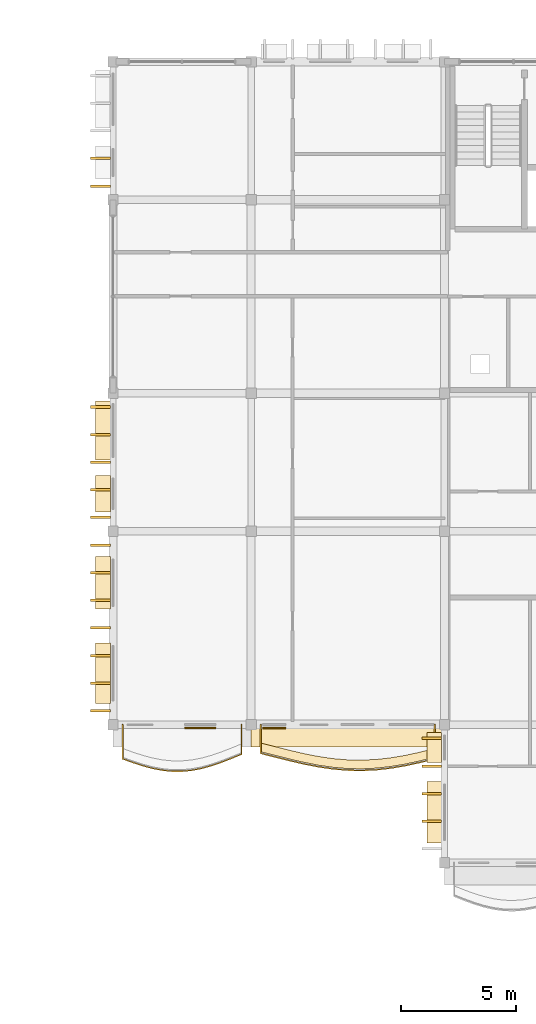
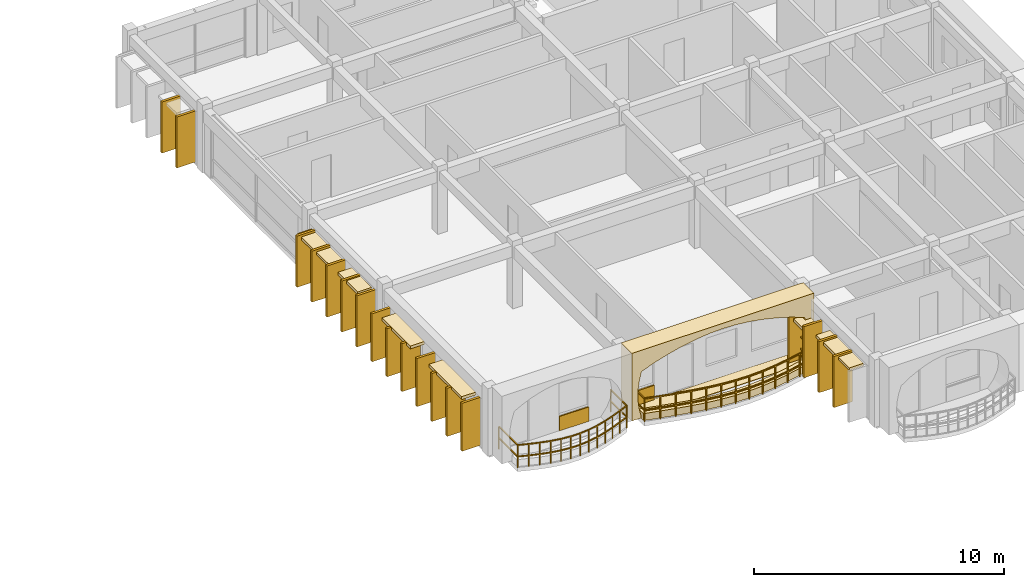
# One storey, part 63 of 68: 28 coverings, 2 railings.
"""IFC4 building model written with IfcOpenShell, lengths in metres."""

import ifcopenshell
import ifcopenshell.guid

model = None  # the IFC model being written
_history = None  # IfcOwnerHistory: only IFC2X3 demands one
_inside = {}  # id of a spatial element -> (the spatial element, [elements in it])
_under = {}  # id of a project, library or spatial element -> (it, [spatial elements below it])
_declared = {}  # id of a project -> (the project, [libraries it declares])
_typed = {}  # id of a type object -> (the type object, [elements of that type])
_made_of = {}  # id of a material, layer set ... -> (it, [elements and type objects made of it])


def new_model(schema):
    """Start an empty IFC model of exactly this schema.

    Asked for "IFC4X3", IfcOpenShell would pick the latest addendum, in which some entities
    have other attributes; the version numbers below select the first issue.
    IFC2X3 requires an IfcOwnerHistory on every rooted entity: one is made here for all.
    """
    global model, _history
    if schema == "IFC4X3":
        model = ifcopenshell.file(schema_version=(4, 3, 0, 0))
    else:
        model = ifcopenshell.file(schema=schema)
    _inside.clear()
    _under.clear()
    _declared.clear()
    _typed.clear()
    _made_of.clear()
    _history = None
    if model.schema == "IFC2X3":
        org = make("IfcOrganization", Name="unknown")
        user = make(
            "IfcPersonAndOrganization",
            ThePerson=make("IfcPerson", FamilyName="unknown"),
            TheOrganization=org,
        )
        app = make(
            "IfcApplication",
            ApplicationDeveloper=org,
            Version="unknown",
            ApplicationFullName="unknown",
            ApplicationIdentifier="unknown",
        )
        _history = make(
            "IfcOwnerHistory",
            OwningUser=user,
            OwningApplication=app,
            ChangeAction="ADDED",
            CreationDate=0,
        )
    return model


def make(cls, **values):
    """One entity of the class cls with the attributes given. An attribute that is None is left unset."""
    return model.create_entity(
        cls, **{name: value for name, value in values.items() if value is not None}
    )


def rooted(cls, **values):
    """An entity with a GlobalId (a new one), such as an element, a storey or a relation."""
    return make(cls, GlobalId=ifcopenshell.guid.new(), OwnerHistory=_history, **values)


def si_unit(unit_type, name, prefix=None):
    """IfcSIUnit, for example si_unit("LENGTHUNIT", "METRE", prefix="MILLI")."""
    return make("IfcSIUnit", UnitType=unit_type, Prefix=prefix, Name=name)


def assignment(units):
    """IfcUnitAssignment: the units of a project."""
    return None if units is None else make("IfcUnitAssignment", Units=units)


def point(xyz):
    """IfcCartesianPoint."""
    return None if xyz is None else make("IfcCartesianPoint", Coordinates=xyz)


def direction(xyz):
    """IfcDirection."""
    return None if xyz is None else make("IfcDirection", DirectionRatios=xyz)


def frame(location, z_axis=None, x_axis=None):
    """IfcAxis2Placement3D, a coordinate frame: its origin and axes. An axis left out is left unset."""
    return make(
        "IfcAxis2Placement3D",
        Location=point(location),
        Axis=direction(z_axis),
        RefDirection=direction(x_axis),
    )


def frame_2d(location, x_axis=None):
    """IfcAxis2Placement2D, a coordinate frame in the plane: its origin and x axis."""
    return make(
        "IfcAxis2Placement2D", Location=point(location), RefDirection=direction(x_axis)
    )


def origin():
    """The frame at (0, 0, 0) with its axes left unset."""
    return frame((0.0, 0.0, 0.0))


def origin_2d():
    """The frame at (0, 0) in the plane with its x axis left unset."""
    return frame_2d((0.0, 0.0))


def place(relative_to, where):
    """IfcLocalPlacement: puts the frame where relative to a parent placement (None: the world)."""
    return make(
        "IfcLocalPlacement", PlacementRelTo=relative_to, RelativePlacement=where
    )


def context(
    kind, dimensions, precision=None, world=None, true_north=None, identifier=None
):
    """IfcGeometricRepresentationContext, for example the 3D "Model" context."""
    return make(
        "IfcGeometricRepresentationContext",
        ContextIdentifier=identifier,
        ContextType=kind,
        CoordinateSpaceDimension=dimensions,
        Precision=precision,
        WorldCoordinateSystem=world,
        TrueNorth=true_north,
    )


def subcontext(parent, identifier, kind, view, scale=None):
    """IfcGeometricRepresentationSubContext, for example "Body" below "Model"."""
    return make(
        "IfcGeometricRepresentationSubContext",
        ContextIdentifier=identifier,
        ContextType=kind,
        ParentContext=parent,
        TargetScale=scale,
        TargetView=view,
    )


def project(units=None, contexts=None):
    """IfcProject with its units and contexts."""
    return rooted(
        "IfcProject",
        Name="project",
        RepresentationContexts=contexts,
        UnitsInContext=assignment(units),
    )


def spatial(cls, under=None, at=None, **own):
    """A site, building, storey or space (cls), placed at a placement, below another one or the project."""
    s = rooted(cls, ObjectPlacement=at, **own)
    if under is not None:
        _under.setdefault(under.id(), (under, []))[1].append(s)
    return s


def polyline(points):
    """IfcPolyline through the points."""
    return make("IfcPolyline", Points=[point(p) for p in points])


def profile(cls, at=None, kind="AREA", **sizes):
    """A parametric profile (cls). Its sizes go by their IFC names, for example OverallWidth=200.0."""
    return make(cls, ProfileType=kind, Position=at, **sizes)


def rectangle(**sizes):
    """IfcRectangleProfileDef."""
    return profile("IfcRectangleProfileDef", **sizes)


def outline(outer, holes=None, kind="AREA"):
    """IfcArbitraryClosedProfileDef: a profile drawn as a closed curve; with holes, ...WithVoids."""
    if holes is None:
        return make("IfcArbitraryClosedProfileDef", ProfileType=kind, OuterCurve=outer)
    return make(
        "IfcArbitraryProfileDefWithVoids",
        ProfileType=kind,
        OuterCurve=outer,
        InnerCurves=holes,
    )


def extrude(swept, where, along, depth):
    """IfcExtrudedAreaSolid: the profile swept, set in the frame where, extruded along a direction by depth."""
    return make(
        "IfcExtrudedAreaSolid",
        SweptArea=swept,
        Position=where,
        ExtrudedDirection=direction(along),
        Depth=depth,
    )


def shape(context_of_items, identifier, shape_type, items):
    """IfcShapeRepresentation: the items that make up one representation, for example the "Body"."""
    return make(
        "IfcShapeRepresentation",
        ContextOfItems=context_of_items,
        RepresentationIdentifier=identifier,
        RepresentationType=shape_type,
        Items=items,
    )


def material(Name=None, Category=None):
    """IfcMaterial."""
    return make("IfcMaterial", Name=Name, Category=Category)


def layer(
    of_material, thickness, ventilated=None, Name=None, Category=None, Priority=None
):
    """IfcMaterialLayer: one layer of a wall or slab, of a material (None: an air gap)."""
    return make(
        "IfcMaterialLayer",
        Material=of_material,
        LayerThickness=thickness,
        IsVentilated=ventilated,
        Name=Name,
        Category=Category,
        Priority=Priority,
    )


def layer_set(layers, Name=None):
    """IfcMaterialLayerSet."""
    return make("IfcMaterialLayerSet", MaterialLayers=layers, LayerSetName=Name)


def made_of(thing, what):
    """Note that an element or type object is made of a material, layer set ...; save() writes the relation."""
    if what is not None:
        _made_of.setdefault(what.id(), (what, []))[1].append(thing)
    return thing


def type_object(cls, material=None, **own):
    """A type object (cls), such as IfcWallType, which elements share."""
    return made_of(rooted(cls, **own), material)


def element(
    cls,
    number,
    at=None,
    inside=None,
    cuts=None,
    type_object=None,
    material=None,
    context=None,
    identifier="Body",
    shape_type=None,
    held_by="IfcProductDefinitionShape",
    body=None,
    shapes=None,
    **own,
):
    """One element of the class cls, such as IfcWall. Its Tag is "e" and its number.

    at: its placement. inside: the storey or other place that contains it. cuts: it is an
    opening in that element (IfcRelVoidsElement). A single representation is given by context,
    identifier, shape_type and body (its items); several are given by shapes. held_by: the class
    of the entity that holds the representations. save() writes the other relations.
    """
    e = rooted(cls, Tag="e%d" % number, ObjectPlacement=at, **own)
    if body is not None:
        shapes = [shape(context, identifier, shape_type, body)]
    if shapes is not None:
        e.Representation = make(held_by, Representations=shapes)
    if inside is not None:
        _inside.setdefault(inside.id(), (inside, []))[1].append(e)
    if cuts is not None:
        rooted(
            "IfcRelVoidsElement", RelatingBuildingElement=cuts, RelatedOpeningElement=e
        )
    if type_object is not None:
        _typed.setdefault(type_object.id(), (type_object, []))[1].append(e)
    return made_of(e, material)


def aggregate(whole, parts):
    """IfcRelAggregates: a whole, such as a stair, and the parts it consists of."""
    return rooted("IfcRelAggregates", RelatingObject=whole, RelatedObjects=parts)


def save(model, path):
    """Write the relations noted so far, then the file.

    IfcRelAggregates (storeys below a building ...), IfcRelContainedInSpatialStructure (elements
    in a storey), IfcRelDefinesByType, IfcRelAssociatesMaterial and IfcRelDeclares: one each for
    every whole, place, type object, material and project.
    """
    for whole, parts in _under.values():
        aggregate(whole, parts)
    for where, things in _inside.values():
        rooted(
            "IfcRelContainedInSpatialStructure",
            RelatedElements=things,
            RelatingStructure=where,
        )
    for kind, things in _typed.values():
        rooted("IfcRelDefinesByType", RelatedObjects=things, RelatingType=kind)
    for what, things in _made_of.values():
        rooted("IfcRelAssociatesMaterial", RelatedObjects=things, RelatingMaterial=what)
    for by, libraries in _declared.values():
        rooted("IfcRelDeclares", RelatingContext=by, RelatedDefinitions=libraries)
    model.write(path)


model = new_model("IFC4")

# Units and contexts
model_context = context("Model", 3, precision=1e-05, world=origin(), true_north=direction((0.0, 1.0)))
body_context = subcontext(model_context, "Body", "Model", "MODEL_VIEW")
ifc_project = project(units=[si_unit("LENGTHUNIT", "METRE"), si_unit("AREAUNIT", "SQUARE_METRE"), si_unit("VOLUMEUNIT", "CUBIC_METRE"), si_unit("PLANEANGLEUNIT", "RADIAN"), si_unit("MASSUNIT", "GRAM", prefix="KILO"), si_unit("THERMODYNAMICTEMPERATUREUNIT", "KELVIN")], contexts=[model_context])

# Site, building, storey
site_placement = place(None, origin())
site = spatial("IfcSite", under=ifc_project, at=site_placement, CompositionType="ELEMENT")
building_placement = place(site_placement, origin())
building = spatial("IfcBuilding", under=site, at=building_placement, Name="Thalorik Housing Commons", CompositionType="ELEMENT")
storey_placement = place(building_placement, frame((0.0, 0.0, 24.60009765625)))
storey = spatial("IfcBuildingStorey", under=building, at=storey_placement, Name="L07", CompositionType="ELEMENT", Elevation=24.60009765625)

# Coverings
ifc_material_1 = material(Name="Cobalt blue glazed ceramic facade tile panel", Category="masonry")
ifc_layer_1 = layer(ifc_material_1, 0.06005859375, Name="Cobalt blue glazed ceramic facade tile panel", Category="masonry")
ifc_layer_set_1 = layer_set([ifc_layer_1], Name="Cobalt blue glazed ceramic facade tile panel")
covering_type_1 = type_object("IfcCoveringType", Name="ARC-CLD-BLU-60", PredefinedType="CLADDING", material=ifc_layer_set_1)
covering_1_placement = place(storey_placement, frame((141.7900390625, 43.047607421875, 0.0498046875), z_axis=(0.0, 0.0, 1.0), x_axis=(1.0, 0.0, 0.0)))
element("IfcCovering", 1, at=covering_1_placement, inside=storey, type_object=covering_type_1, Name="L07 De Stijl Recessed Window Spandrel 5020", PredefinedType="CLADDING", context=body_context, shape_type="SweptSolid", body=[
    extrude(rectangle(XDim=1.35009765625, YDim=0.06005859375, at=origin_2d()), origin(), (0.0, 0.0, 1.0), 0.699951171875),
])
ifc_material_2 = material(Name="Precast concrete C40/50", Category="concrete")
ifc_layer_2 = layer(ifc_material_2, 0.85009765625, Name="Precast concrete C40/50", Category="concrete")
ifc_layer_set_2 = layer_set([ifc_layer_2], Name="Precast concrete C40/50")
covering_type_2 = type_object("IfcCoveringType", Name="ARC-CLD-CUSH-850", PredefinedType="CLADDING", material=ifc_layer_set_2)
covering_2_placement = place(storey_placement, frame((148.199951171875, 42.657470703125, 0.0), z_axis=(0.0, 0.0, 1.0), x_axis=(1.0, 0.0, 0.0)))
element("IfcCovering", 2, at=covering_2_placement, inside=storey, type_object=covering_type_2, Name="L07 White Precast Curved Cushion Bay Frame 5021", PredefinedType="CLADDING", context=body_context, shape_type="SweptSolid", body=[
    extrude(outline(polyline([(-4.199951171875, 0.0), (4.199951171875, 0.0), (4.199951171875, 3.300048828125), (-4.199951171875, 3.300048828125), (-4.199951171875, 0.0)]), holes=[polyline([(3.777587890625, 0.02490234375), (3.86669921875, 0.3974609375), (3.920166015625, 0.77001953125), (3.93798828125, 1.142578125), (3.920166015625, 1.514892578125), (3.86669921875, 1.887451171875), (3.777587890625, 2.260009765625), (3.14990234375, 2.497314453125), (2.522216796875, 2.683837890625), (1.894287109375, 2.8349609375), (1.2666015625, 2.947265625), (0.638916015625, 3.0166015625), (0.01123046875, 3.0400390625), (-0.616455078125, 3.0166015625), (-1.244140625, 2.947265625), (-1.871826171875, 2.8349609375), (-2.49951171875, 2.683837890625), (-3.127197265625, 2.497314453125), (-3.7548828125, 2.260009765625), (-3.848876953125, 1.887451171875), (-3.9052734375, 1.514892578125), (-3.924072265625, 1.142578125), (-3.9052734375, 0.77001953125), (-3.848876953125, 0.3974609375), (-3.7548828125, 0.02490234375), (3.777587890625, 0.02490234375)])]), frame((0.0, 0.425048828125, 0.0), z_axis=(0.0, -1.0, 0.0), x_axis=(1.0, 0.0, 0.0)), (0.0, 0.0, 1.0), 0.85009765625),
])
ifc_layer_3 = layer(ifc_material_2, 0.85009765625, Name="Precast concrete C40/50", Category="concrete")
ifc_layer_set_3 = layer_set([ifc_layer_3], Name="Precast concrete C40/50")
covering_type_3 = type_object("IfcCoveringType", Name="ARC-CLD-FIN-850", PredefinedType="CLADDING", material=ifc_layer_set_3)
for number, where, z_axis, x_axis, name in (
    (3, (137.45751953125, 67.800048828125, 0.039794921875), (0.0, 0.0, 1.0), (0.0, -1.0, 0.0), "L07 Courtyard Precast Vertical Brise-Soleil Fin 4999"),
    (4, (137.45751953125, 66.60009765625, 0.039794921875), (0.0, 0.0, 1.0), (0.0, -1.0, 0.0), "L07 Courtyard Precast Vertical Brise-Soleil Fin 5000"),
    (5, (137.45751953125, 57.0, 0.039794921875), (0.0, 0.0, 1.0), (0.0, -1.0, 0.0), "L07 Courtyard Precast Vertical Brise-Soleil Fin 5003"),
    (6, (137.45751953125, 55.800048828125, 0.039794921875), (0.0, 0.0, 1.0), (0.0, -1.0, 0.0), "L07 Courtyard Precast Vertical Brise-Soleil Fin 5004"),
    (7, (137.45751953125, 54.60009765625, 0.039794921875), (0.0, 0.0, 1.0), (0.0, -1.0, 0.0), "L07 Courtyard Precast Vertical Brise-Soleil Fin 5005"),
    (8, (137.45751953125, 53.39990234375, 0.039794921875), (0.0, 0.0, 1.0), (0.0, -1.0, 0.0), "L07 Courtyard Precast Vertical Brise-Soleil Fin 5006"),
    (9, (137.45751953125, 52.199951171875, 0.039794921875), (0.0, 0.0, 1.0), (0.0, -1.0, 0.0), "L07 Courtyard Precast Vertical Brise-Soleil Fin 5007"),
):
    element("IfcCovering", number, at=place(storey_placement, frame(where, z_axis=z_axis, x_axis=x_axis)), inside=storey, type_object=covering_type_3, Name=name, PredefinedType="CLADDING", context=body_context, shape_type="SweptSolid", body=[
        extrude(rectangle(XDim=0.110107421875, YDim=0.85009765625, at=origin_2d()), origin(), (0.0, 0.0, 1.0), 2.4951171875),
    ])
for number, where, z_axis, x_axis, name in (
    (10, (137.45751953125, 51.0, 0.0400390625), (0.0, 0.0, 1.0), (0.0, -1.0, 0.0), "L07 Courtyard Precast Vertical Brise-Soleil Fin 5010"),
    (11, (137.45751953125, 49.800048828125, 0.0400390625), (0.0, 0.0, 1.0), (0.0, -1.0, 0.0), "L07 Courtyard Precast Vertical Brise-Soleil Fin 5011"),
    (12, (137.45751953125, 48.60009765625, 0.0400390625), (0.0, 0.0, 1.0), (0.0, -1.0, 0.0), "L07 Courtyard Precast Vertical Brise-Soleil Fin 5012"),
    (13, (137.45751953125, 47.39990234375, 0.0400390625), (0.0, 0.0, 1.0), (0.0, -1.0, 0.0), "L07 Courtyard Precast Vertical Brise-Soleil Fin 5013"),
    (14, (137.45751953125, 46.199951171875, 0.0400390625), (0.0, 0.0, 1.0), (0.0, -1.0, 0.0), "L07 Courtyard Precast Vertical Brise-Soleil Fin 5014"),
    (15, (137.45751953125, 45.0, 0.0400390625), (0.0, 0.0, 1.0), (0.0, -1.0, 0.0), "L07 Courtyard Precast Vertical Brise-Soleil Fin 5015"),
    (16, (137.45751953125, 43.800048828125, 0.0400390625), (0.0, 0.0, 1.0), (0.0, -1.0, 0.0), "L07 Courtyard Precast Vertical Brise-Soleil Fin 5016"),
):
    element("IfcCovering", number, at=place(storey_placement, frame(where, z_axis=z_axis, x_axis=x_axis)), inside=storey, type_object=covering_type_3, Name=name, PredefinedType="CLADDING", context=body_context, shape_type="SweptSolid", body=[
        extrude(rectangle(XDim=0.110107421875, YDim=0.85009765625, at=origin_2d()), origin(), (0.0, 0.0, 1.0), 2.344970703125),
    ])
for number, where, z_axis, x_axis, name in (
    (17, (151.857421875, 42.60009765625, 0.039794921875), (0.0, 0.0, 1.0), (0.0, -1.0, 0.0), "L07 Courtyard Precast Vertical Brise-Soleil Fin 5023"),
    (18, (151.857421875, 41.39990234375, 0.039794921875), (0.0, 0.0, 1.0), (0.0, -1.0, 0.0), "L07 Courtyard Precast Vertical Brise-Soleil Fin 5024"),
    (19, (151.857421875, 40.199951171875, 0.039794921875), (0.0, 0.0, 1.0), (0.0, -1.0, 0.0), "L07 Courtyard Precast Vertical Brise-Soleil Fin 5025"),
    (20, (151.857421875, 39.0, 0.039794921875), (0.0, 0.0, 1.0), (0.0, -1.0, 0.0), "L07 Courtyard Precast Vertical Brise-Soleil Fin 5026"),
):
    element("IfcCovering", number, at=place(storey_placement, frame(where, z_axis=z_axis, x_axis=x_axis)), inside=storey, type_object=covering_type_3, Name=name, PredefinedType="CLADDING", context=body_context, shape_type="SweptSolid", body=[
        extrude(rectangle(XDim=0.110107421875, YDim=0.85009765625, at=origin_2d()), origin(), (0.0, 0.0, 1.0), 2.4951171875),
    ])
ifc_layer_4 = layer(ifc_material_2, 0.64990234375, Name="Precast concrete C40/50", Category="concrete")
ifc_layer_set_4 = layer_set([ifc_layer_4], Name="Precast concrete C40/50")
covering_type_4 = type_object("IfcCoveringType", Name="ARC-CLD-HOOD-650", PredefinedType="CLADDING", material=ifc_layer_set_4)
covering_3_placement = place(storey_placement, frame((137.5576171875, 55.969970703125, 2.2900390625), z_axis=(0.0, 0.0, 1.0), x_axis=(0.0, -1.0, 0.0)))
element("IfcCovering", 21, at=covering_3_placement, inside=storey, type_object=covering_type_4, Name="L07 Courtyard Precast Window Sun-Hood 5008", PredefinedType="CLADDING", context=body_context, shape_type="SweptSolid", body=[
    extrude(rectangle(XDim=2.56005859375, YDim=0.64990234375, at=origin_2d()), origin(), (0.0, 0.0, 1.0), 0.139892578125),
])
covering_4_placement = place(storey_placement, frame((137.5576171875, 53.22998046875, 2.33984375), z_axis=(0.0, 0.0, 1.0), x_axis=(0.0, -1.0, 0.0)))
element("IfcCovering", 22, at=covering_4_placement, inside=storey, type_object=covering_type_4, Name="L07 Courtyard Precast Window Sun-Hood 5009", PredefinedType="CLADDING", context=body_context, shape_type="SweptSolid", body=[
    extrude(rectangle(XDim=1.590087890625, YDim=0.64990234375, at=origin_2d()), origin(), (0.0, 0.0, 1.0), 0.139892578125),
])
covering_5_placement = place(storey_placement, frame((137.5576171875, 49.3701171875, 2.25), z_axis=(0.0, 0.0, 1.0), x_axis=(0.0, -1.0, 0.0)))
element("IfcCovering", 23, at=covering_5_placement, inside=storey, type_object=covering_type_4, Name="L07 Courtyard Precast Window Sun-Hood 5017", PredefinedType="CLADDING", context=body_context, shape_type="SweptSolid", body=[
    extrude(rectangle(XDim=2.280029296875, YDim=0.64990234375, at=origin_2d()), origin(), (0.0, 0.0, 1.0), 0.139892578125),
])
covering_6_placement = place(storey_placement, frame((137.5576171875, 45.429931640625, 2.27001953125), z_axis=(0.0, 0.0, 1.0), x_axis=(0.0, -1.0, 0.0)))
element("IfcCovering", 24, at=covering_6_placement, inside=storey, type_object=covering_type_4, Name="L07 Courtyard Precast Window Sun-Hood 5018", PredefinedType="CLADDING", context=body_context, shape_type="SweptSolid", body=[
    extrude(rectangle(XDim=2.6201171875, YDim=0.64990234375, at=origin_2d()), origin(), (0.0, 0.0, 1.0), 0.139892578125),
])
covering_7_placement = place(storey_placement, frame((151.95751953125, 42.202392578125, 1.98974609375), z_axis=(0.0, 0.0, 1.0), x_axis=(0.0, -1.0, 0.0)))
element("IfcCovering", 25, at=covering_7_placement, inside=storey, type_object=covering_type_4, Name="L07 Courtyard Precast Window Sun-Hood 5028", PredefinedType="CLADDING", context=body_context, shape_type="SweptSolid", body=[
    extrude(rectangle(XDim=1.2900390625, YDim=0.64990234375, at=origin_2d()), origin(), (0.0, 0.0, 1.0), 0.139892578125),
])
covering_8_placement = place(storey_placement, frame((151.95751953125, 39.392578125, 2.31005859375), z_axis=(0.0, 0.0, 1.0), x_axis=(0.0, -1.0, 0.0)))
element("IfcCovering", 26, at=covering_8_placement, inside=storey, type_object=covering_type_4, Name="L07 Courtyard Precast Window Sun-Hood 5029", PredefinedType="CLADDING", context=body_context, shape_type="SweptSolid", body=[
    extrude(rectangle(XDim=2.659912109375, YDim=0.64990234375, at=origin_2d()), origin(), (0.0, 0.0, 1.0), 0.139892578125),
])
ifc_material_3 = material(Name="Mineral ochre architectural terracotta panel", Category="masonry")
ifc_layer_5 = layer(ifc_material_3, 0.06494140625, Name="Mineral ochre architectural terracotta panel", Category="masonry")
ifc_layer_set_5 = layer_set([ifc_layer_5], Name="Mineral ochre architectural terracotta panel")
covering_type_5 = type_object("IfcCoveringType", Name="ARC-CLD-YEL-65", PredefinedType="CLADDING", material=ifc_layer_set_5)
covering_9_placement = place(storey_placement, frame((144.9951171875, 43.044921875, 0.0498046875), z_axis=(0.0, 0.0, 1.0), x_axis=(1.0, 0.0, 0.0)))
element("IfcCovering", 27, at=covering_9_placement, inside=storey, type_object=covering_type_5, Name="L07 De Stijl Recessed Window Spandrel 5022", PredefinedType="CLADDING", context=body_context, shape_type="SweptSolid", body=[
    extrude(rectangle(XDim=1.0, YDim=0.06494140625, at=origin_2d()), origin(), (0.0, 0.0, 1.0), 0.699951171875),
])
ifc_material_4 = material(Name="Planted vegetated substrate and terracotta trough", Category="masonry")
ifc_layer_6 = layer(ifc_material_4, 0.340087890625, Name="Planted vegetated substrate and terracotta trough", Category="masonry")
ifc_layer_set_6 = layer_set([ifc_layer_6], Name="Planted vegetated substrate and terracotta trough")
covering_type_6 = type_object("IfcCoveringType", Name="ARC-COV-PLANTER", PredefinedType="USERDEFINED", material=ifc_layer_set_6)
covering_10_placement = place(storey_placement, origin())
element("IfcCovering", 28, at=covering_10_placement, inside=storey, type_object=covering_type_6, Name="L07 Balcony Slab-Edge Planted Trough 5695", ObjectType="PLANTER", PredefinedType="USERDEFINED", context=body_context, shape_type="SweptSolid", body=[
    extrude(outline(polyline([(144.419921875, 42.01953125), (145.050048828125, 41.859375), (145.679931640625, 41.700927734375), (146.31005859375, 41.5556640625), (146.93994140625, 41.43310546875), (147.570068359375, 41.34228515625), (148.199951171875, 41.2890625), (148.830078125, 41.277587890625), (149.4599609375, 41.308837890625), (150.090087890625, 41.380859375), (150.719970703125, 41.489013671875), (151.35009765625, 41.6259765625), (151.97998046875, 41.782470703125), (151.97998046875, 42.162353515625), (151.35009765625, 42.005859375), (150.719970703125, 41.868896484375), (150.090087890625, 41.760986328125), (149.4599609375, 41.688720703125), (148.830078125, 41.65771484375), (148.199951171875, 41.6689453125), (147.570068359375, 41.72216796875), (146.93994140625, 41.813232421875), (146.31005859375, 41.935546875), (145.679931640625, 42.0810546875), (145.050048828125, 42.2392578125), (144.419921875, 42.399658203125), (144.419921875, 42.01953125)])), origin(), (0.0, 0.0, 1.0), 0.33984375),
])

# Railings
ifc_material_5 = material(Name="Steel S355", Category="steel")
railing_type_1 = type_object("IfcRailingType", Name="ARC-RL-BAL-112", PredefinedType="BALUSTRADE", material=ifc_material_5)
railing_1_placement = place(storey_placement, frame((138.419921875, 43.199951171875, 0.0)))
element("IfcRailing", 29, at=railing_1_placement, inside=storey, type_object=railing_type_1, Name="L07 Cushion Balcony Guardrail 378", PredefinedType="BALUSTRADE", context=body_context, shape_type="SweptSolid", body=[
    extrude(rectangle(XDim=0.050048828125, YDim=0.050048828125, at=origin_2d()), frame((0.0, 0.0, 1.09521484375), z_axis=(0.0, -1.0, 0.0), x_axis=(1.0, 0.0, 0.0)), (0.0, 0.0, 1.0), 1.48779296875),
    extrude(rectangle(XDim=0.050048828125, YDim=0.050048828125, at=origin_2d()), frame((0.0, 0.0, 0.53515625), z_axis=(0.0, -1.0, 0.0), x_axis=(1.0, 0.0, 0.0)), (0.0, 0.0, 1.0), 1.48779296875),
    extrude(rectangle(XDim=0.050048828125, YDim=0.050048828125, at=origin_2d()), frame((0.0, -1.48779296875, 1.09521484375), z_axis=(0.940601260762, -0.33951328141, 0.0), x_axis=(0.33951328141, 0.940601260762, 0.0)), (0.0, 0.0, 1.0), 0.457275390625),
    extrude(rectangle(XDim=0.050048828125, YDim=0.050048828125, at=origin_2d()), frame((0.0, -1.48779296875, 0.53515625), z_axis=(0.940601260762, -0.33951328141, 0.0), x_axis=(0.33951328141, 0.940601260762, 0.0)), (0.0, 0.0, 1.0), 0.457275390625),
    extrude(rectangle(XDim=0.050048828125, YDim=0.050048828125, at=origin_2d()), frame((0.43017578125, -1.64306640625, 1.09521484375), z_axis=(0.950767886088, -0.30990389927, 0.0), x_axis=(0.30990389927, 0.950767886088, 0.0)), (0.0, 0.0, 1.0), 0.4521484375),
    extrude(rectangle(XDim=0.050048828125, YDim=0.050048828125, at=origin_2d()), frame((0.43017578125, -1.64306640625, 0.53515625), z_axis=(0.950767886088, -0.30990389927, 0.0), x_axis=(0.30990389927, 0.950767886088, 0.0)), (0.0, 0.0, 1.0), 0.4521484375),
    extrude(rectangle(XDim=0.050048828125, YDim=0.050048828125, at=origin_2d()), frame((0.860107421875, -1.783203125, 1.09521484375), z_axis=(0.965631639751, -0.259914478843, 0.0), x_axis=(0.259914478843, 0.965631639751, 0.0)), (0.0, 0.0, 1.0), 0.4453125),
    extrude(rectangle(XDim=0.050048828125, YDim=0.050048828125, at=origin_2d()), frame((0.860107421875, -1.783203125, 0.53515625), z_axis=(0.965631639751, -0.259914478843, 0.0), x_axis=(0.259914478843, 0.965631639751, 0.0)), (0.0, 0.0, 1.0), 0.4453125),
    extrude(rectangle(XDim=0.050048828125, YDim=0.050048828125, at=origin_2d()), frame((1.2900390625, -1.89892578125, 1.09521484375), z_axis=(0.98197063341, -0.189033529089, 0.0), x_axis=(0.189033529089, 0.98197063341, 0.0)), (0.0, 0.0, 1.0), 0.437744140625),
    extrude(rectangle(XDim=0.050048828125, YDim=0.050048828125, at=origin_2d()), frame((1.2900390625, -1.89892578125, 0.53515625), z_axis=(0.98197063341, -0.189033529089, 0.0), x_axis=(0.189033529089, 0.98197063341, 0.0)), (0.0, 0.0, 1.0), 0.437744140625),
    extrude(rectangle(XDim=0.050048828125, YDim=0.050048828125, at=origin_2d()), frame((1.719970703125, -1.981689453125, 1.09521484375), z_axis=(0.994879427692, -0.101068908943, 0.0), x_axis=(0.101068908943, 0.994879427692, 0.0)), (0.0, 0.0, 1.0), 0.432373046875),
    extrude(rectangle(XDim=0.050048828125, YDim=0.050048828125, at=origin_2d()), frame((1.719970703125, -1.981689453125, 0.53515625), z_axis=(0.994879427692, -0.101068908943, 0.0), x_axis=(0.101068908943, 0.994879427692, 0.0)), (0.0, 0.0, 1.0), 0.432373046875),
    extrude(rectangle(XDim=0.050048828125, YDim=0.050048828125, at=origin_2d()), frame((2.150146484375, -2.025390625, 1.09521484375), z_axis=(0.999997420298, -0.002271430824, 0.0), x_axis=(0.002271430824, 0.999997420298, 0.0)), (0.0, 0.0, 1.0), 0.429931640625),
    extrude(rectangle(XDim=0.050048828125, YDim=0.050048828125, at=origin_2d()), frame((2.150146484375, -2.025390625, 0.53515625), z_axis=(0.999997420298, -0.002271430824, 0.0), x_axis=(0.002271430824, 0.999997420298, 0.0)), (0.0, 0.0, 1.0), 0.429931640625),
    extrude(rectangle(XDim=0.050048828125, YDim=0.050048828125, at=origin_2d()), frame((2.580078125, -2.0263671875, 1.09521484375), z_axis=(0.995263970634, 0.097209200993, 0.0), x_axis=(-0.097209200993, 0.995263970634, 0.0)), (0.0, 0.0, 1.0), 0.431884765625),
    extrude(rectangle(XDim=0.050048828125, YDim=0.050048828125, at=origin_2d()), frame((2.580078125, -2.0263671875, 0.53515625), z_axis=(0.995263970634, 0.097209200993, 0.0), x_axis=(-0.097209200993, 0.995263970634, 0.0)), (0.0, 0.0, 1.0), 0.431884765625),
    extrude(rectangle(XDim=0.050048828125, YDim=0.050048828125, at=origin_2d()), frame((3.010009765625, -1.984375, 1.09521484375), z_axis=(0.981783203686, 0.190004581417, 0.0), x_axis=(-0.190004581417, 0.981783203686, 0.0)), (0.0, 0.0, 1.0), 0.438232421875),
    extrude(rectangle(XDim=0.050048828125, YDim=0.050048828125, at=origin_2d()), frame((3.010009765625, -1.984375, 0.53515625), z_axis=(0.981783203686, 0.190004581417, 0.0), x_axis=(-0.190004581417, 0.981783203686, 0.0)), (0.0, 0.0, 1.0), 0.438232421875),
    extrude(rectangle(XDim=0.050048828125, YDim=0.050048828125, at=origin_2d()), frame((3.440185546875, -1.901123046875, 1.09521484375), z_axis=(0.963400250269, 0.26806707702, 0.0), x_axis=(-0.26806707702, 0.963400250269, 0.0)), (0.0, 0.0, 1.0), 0.4462890625),
    extrude(rectangle(XDim=0.050048828125, YDim=0.050048828125, at=origin_2d()), frame((3.440185546875, -1.901123046875, 0.53515625), z_axis=(0.963400250269, 0.26806707702, 0.0), x_axis=(-0.26806707702, 0.963400250269, 0.0)), (0.0, 0.0, 1.0), 0.4462890625),
    extrude(rectangle(XDim=0.050048828125, YDim=0.050048828125, at=origin_2d()), frame((3.8701171875, -1.781494140625, 1.09521484375), z_axis=(0.945412911086, 0.325874864866, 0.0), x_axis=(-0.325874864866, 0.945412911086, 0.0)), (0.0, 0.0, 1.0), 0.454833984375),
    extrude(rectangle(XDim=0.050048828125, YDim=0.050048828125, at=origin_2d()), frame((3.8701171875, -1.781494140625, 0.53515625), z_axis=(0.945412911086, 0.325874864866, 0.0), x_axis=(-0.325874864866, 0.945412911086, 0.0)), (0.0, 0.0, 1.0), 0.454833984375),
    extrude(rectangle(XDim=0.050048828125, YDim=0.050048828125, at=origin_2d()), frame((4.300048828125, -1.63330078125, 1.09521484375), z_axis=(0.931616942852, 0.363441703429, 0.0), x_axis=(-0.363441703429, 0.931616942852, 0.0)), (0.0, 0.0, 1.0), 0.46142578125),
    extrude(rectangle(XDim=0.050048828125, YDim=0.050048828125, at=origin_2d()), frame((4.300048828125, -1.63330078125, 0.53515625), z_axis=(0.931616942852, 0.363441703429, 0.0), x_axis=(-0.363441703429, 0.931616942852, 0.0)), (0.0, 0.0, 1.0), 0.46142578125),
    extrude(rectangle(XDim=0.050048828125, YDim=0.050048828125, at=origin_2d()), frame((4.72998046875, -1.465576171875, 1.09521484375), z_axis=(0.925329304224, 0.379164448155, 0.0), x_axis=(-0.379164448155, 0.925329304224, 0.0)), (0.0, 0.0, 1.0), 0.46484375),
    extrude(rectangle(XDim=0.050048828125, YDim=0.050048828125, at=origin_2d()), frame((4.72998046875, -1.465576171875, 0.53515625), z_axis=(0.925329304224, 0.379164448155, 0.0), x_axis=(-0.379164448155, 0.925329304224, 0.0)), (0.0, 0.0, 1.0), 0.46484375),
    extrude(rectangle(XDim=0.050048828125, YDim=0.050048828125, at=origin_2d()), frame((5.16015625, -1.289306640625, 1.09521484375), z_axis=(0.0, 1.0, 0.0), x_axis=(-1.0, 0.0, 0.0)), (0.0, 0.0, 1.0), 1.289306640625),
    extrude(rectangle(XDim=0.050048828125, YDim=0.050048828125, at=origin_2d()), frame((5.16015625, -1.289306640625, 0.53515625), z_axis=(0.0, 1.0, 0.0), x_axis=(-1.0, 0.0, 0.0)), (0.0, 0.0, 1.0), 1.289306640625),
    extrude(rectangle(XDim=0.0419921875, YDim=0.0419921875, at=origin_2d()), origin(), (0.0, 0.0, 1.0), 1.070068359375),
    extrude(rectangle(XDim=0.0419921875, YDim=0.0419921875, at=origin_2d()), frame((0.0, -1.48779296875, 0.0)), (0.0, 0.0, 1.0), 1.070068359375),
    extrude(rectangle(XDim=0.0419921875, YDim=0.0419921875, at=origin_2d()), frame((0.43017578125, -1.64306640625, 0.0)), (0.0, 0.0, 1.0), 1.070068359375),
    extrude(rectangle(XDim=0.0419921875, YDim=0.0419921875, at=origin_2d()), frame((0.860107421875, -1.783203125, 0.0)), (0.0, 0.0, 1.0), 1.070068359375),
    extrude(rectangle(XDim=0.0419921875, YDim=0.0419921875, at=origin_2d()), frame((1.2900390625, -1.89892578125, 0.0)), (0.0, 0.0, 1.0), 1.070068359375),
    extrude(rectangle(XDim=0.0419921875, YDim=0.0419921875, at=origin_2d()), frame((1.719970703125, -1.981689453125, 0.0)), (0.0, 0.0, 1.0), 1.070068359375),
    extrude(rectangle(XDim=0.0419921875, YDim=0.0419921875, at=origin_2d()), frame((2.150146484375, -2.025390625, 0.0)), (0.0, 0.0, 1.0), 1.070068359375),
    extrude(rectangle(XDim=0.0419921875, YDim=0.0419921875, at=origin_2d()), frame((2.580078125, -2.0263671875, 0.0)), (0.0, 0.0, 1.0), 1.070068359375),
    extrude(rectangle(XDim=0.0419921875, YDim=0.0419921875, at=origin_2d()), frame((3.010009765625, -1.984375, 0.0)), (0.0, 0.0, 1.0), 1.070068359375),
    extrude(rectangle(XDim=0.0419921875, YDim=0.0419921875, at=origin_2d()), frame((3.440185546875, -1.901123046875, 0.0)), (0.0, 0.0, 1.0), 1.070068359375),
    extrude(rectangle(XDim=0.0419921875, YDim=0.0419921875, at=origin_2d()), frame((3.8701171875, -1.781494140625, 0.0)), (0.0, 0.0, 1.0), 1.070068359375),
    extrude(rectangle(XDim=0.0419921875, YDim=0.0419921875, at=origin_2d()), frame((4.300048828125, -1.63330078125, 0.0)), (0.0, 0.0, 1.0), 1.070068359375),
    extrude(rectangle(XDim=0.0419921875, YDim=0.0419921875, at=origin_2d()), frame((4.72998046875, -1.465576171875, 0.0)), (0.0, 0.0, 1.0), 1.070068359375),
    extrude(rectangle(XDim=0.0419921875, YDim=0.0419921875, at=origin_2d()), frame((5.16015625, -1.289306640625, 0.0)), (0.0, 0.0, 1.0), 1.070068359375),
    extrude(rectangle(XDim=0.0419921875, YDim=0.0419921875, at=origin_2d()), frame((5.16015625, 0.0, 0.0)), (0.0, 0.0, 1.0), 1.070068359375),
])
railing_type_2 = type_object("IfcRailingType", Name="ARC-RL-BAL-115", PredefinedType="BALUSTRADE", material=ifc_material_5)
railing_2_placement = place(storey_placement, frame((144.419921875, 43.199951171875, 0.0)))
element("IfcRailing", 30, at=railing_2_placement, inside=storey, type_object=railing_type_2, Name="L07 Cushion Balcony Guardrail 379", PredefinedType="BALUSTRADE", context=body_context, shape_type="SweptSolid", body=[
    extrude(rectangle(XDim=0.050048828125, YDim=0.050048828125, at=origin_2d()), frame((0.0, 0.0, 1.125), z_axis=(0.0, -1.0, 0.0), x_axis=(1.0, 0.0, 0.0)), (0.0, 0.0, 1.0), 1.250244140625),
    extrude(rectangle(XDim=0.050048828125, YDim=0.050048828125, at=origin_2d()), frame((0.0, 0.0, 0.5498046875), z_axis=(0.0, -1.0, 0.0), x_axis=(1.0, 0.0, 0.0)), (0.0, 0.0, 1.0), 1.250244140625),
    extrude(rectangle(XDim=0.050048828125, YDim=0.050048828125, at=origin_2d()), frame((0.0, -1.250244140625, 1.125), z_axis=(0.969095541918, -0.246685691995, 0.0), x_axis=(0.246685691995, 0.969095541918, 0.0)), (0.0, 0.0, 1.0), 0.650146484375),
    extrude(rectangle(XDim=0.050048828125, YDim=0.050048828125, at=origin_2d()), frame((0.0, -1.250244140625, 0.5498046875), z_axis=(0.969095541918, -0.246685691995, 0.0), x_axis=(0.246685691995, 0.969095541918, 0.0)), (0.0, 0.0, 1.0), 0.650146484375),
    extrude(rectangle(XDim=0.050048828125, YDim=0.050048828125, at=origin_2d()), frame((0.630126953125, -1.41064453125, 1.125), z_axis=(0.969876563393, -0.243596904294, 0.0), x_axis=(0.243596904294, 0.969876563393, 0.0)), (0.0, 0.0, 1.0), 0.6494140625),
    extrude(rectangle(XDim=0.050048828125, YDim=0.050048828125, at=origin_2d()), frame((0.630126953125, -1.41064453125, 0.5498046875), z_axis=(0.969876563393, -0.243596904294, 0.0), x_axis=(0.243596904294, 0.969876563393, 0.0)), (0.0, 0.0, 1.0), 0.6494140625),
    extrude(rectangle(XDim=0.050048828125, YDim=0.050048828125, at=origin_2d()), frame((1.260009765625, -1.56884765625, 1.125), z_axis=(0.974359373104, -0.224997360081, 0.0), x_axis=(0.224997360081, 0.974359373104, 0.0)), (0.0, 0.0, 1.0), 0.646728515625),
    extrude(rectangle(XDim=0.050048828125, YDim=0.050048828125, at=origin_2d()), frame((1.260009765625, -1.56884765625, 0.5498046875), z_axis=(0.974359373104, -0.224997360081, 0.0), x_axis=(0.224997360081, 0.974359373104, 0.0)), (0.0, 0.0, 1.0), 0.646728515625),
    extrude(rectangle(XDim=0.050048828125, YDim=0.050048828125, at=origin_2d()), frame((1.89013671875, -1.71435546875, 1.125), z_axis=(0.981662885064, -0.190625234658, 0.0), x_axis=(0.190625234658, 0.981662885064, 0.0)), (0.0, 0.0, 1.0), 0.6416015625),
    extrude(rectangle(XDim=0.050048828125, YDim=0.050048828125, at=origin_2d()), frame((1.89013671875, -1.71435546875, 0.5498046875), z_axis=(0.981662885064, -0.190625234658, 0.0), x_axis=(0.190625234658, 0.981662885064, 0.0)), (0.0, 0.0, 1.0), 0.6416015625),
    extrude(rectangle(XDim=0.050048828125, YDim=0.050048828125, at=origin_2d()), frame((2.52001953125, -1.836669921875, 1.125), z_axis=(0.989718105742, -0.143031713848, 0.0), x_axis=(0.143031713848, 0.989718105742, 0.0)), (0.0, 0.0, 1.0), 0.63671875),
    extrude(rectangle(XDim=0.050048828125, YDim=0.050048828125, at=origin_2d()), frame((2.52001953125, -1.836669921875, 0.5498046875), z_axis=(0.989718105742, -0.143031713848, 0.0), x_axis=(0.143031713848, 0.989718105742, 0.0)), (0.0, 0.0, 1.0), 0.63671875),
    extrude(rectangle(XDim=0.050048828125, YDim=0.050048828125, at=origin_2d()), frame((3.150146484375, -1.927734375, 1.125), z_axis=(0.99644920467, -0.084196095588, 0.0), x_axis=(0.084196095588, 0.99644920467, 0.0)), (0.0, 0.0, 1.0), 0.632080078125),
    extrude(rectangle(XDim=0.050048828125, YDim=0.050048828125, at=origin_2d()), frame((3.150146484375, -1.927734375, 0.5498046875), z_axis=(0.99644920467, -0.084196095588, 0.0), x_axis=(0.084196095588, 0.99644920467, 0.0)), (0.0, 0.0, 1.0), 0.632080078125),
    extrude(rectangle(XDim=0.050048828125, YDim=0.050048828125, at=origin_2d()), frame((3.780029296875, -1.98095703125, 1.125), z_axis=(0.999834239245, -0.018206977623, 0.0), x_axis=(0.018206977623, 0.999834239245, 0.0)), (0.0, 0.0, 1.0), 0.630126953125),
    extrude(rectangle(XDim=0.050048828125, YDim=0.050048828125, at=origin_2d()), frame((3.780029296875, -1.98095703125, 0.5498046875), z_axis=(0.999834239245, -0.018206977623, 0.0), x_axis=(0.018206977623, 0.999834239245, 0.0)), (0.0, 0.0, 1.0), 0.630126953125),
    extrude(rectangle(XDim=0.050048828125, YDim=0.050048828125, at=origin_2d()), frame((4.41015625, -1.992431640625, 1.125), z_axis=(0.998771571996, 0.049551457835, 0.0), x_axis=(-0.049551457835, 0.998771571996, 0.0)), (0.0, 0.0, 1.0), 0.630615234375),
    extrude(rectangle(XDim=0.050048828125, YDim=0.050048828125, at=origin_2d()), frame((4.41015625, -1.992431640625, 0.5498046875), z_axis=(0.998771571996, 0.049551457835, 0.0), x_axis=(-0.049551457835, 0.998771571996, 0.0)), (0.0, 0.0, 1.0), 0.630615234375),
    extrude(rectangle(XDim=0.050048828125, YDim=0.050048828125, at=origin_2d()), frame((5.0400390625, -1.961181640625, 1.125), z_axis=(0.993531431854, 0.113557447655, 0.0), x_axis=(-0.113557447655, 0.993531431854, 0.0)), (0.0, 0.0, 1.0), 0.63427734375),
    extrude(rectangle(XDim=0.050048828125, YDim=0.050048828125, at=origin_2d()), frame((5.0400390625, -1.961181640625, 0.5498046875), z_axis=(0.993531431854, 0.113557447655, 0.0), x_axis=(-0.113557447655, 0.993531431854, 0.0)), (0.0, 0.0, 1.0), 0.63427734375),
    extrude(rectangle(XDim=0.050048828125, YDim=0.050048828125, at=origin_2d()), frame((5.670166015625, -1.88916015625, 1.125), z_axis=(0.985576778269, 0.16922888092, 0.0), x_axis=(-0.16922888092, 0.985576778269, 0.0)), (0.0, 0.0, 1.0), 0.63916015625),
    extrude(rectangle(XDim=0.050048828125, YDim=0.050048828125, at=origin_2d()), frame((5.670166015625, -1.88916015625, 0.5498046875), z_axis=(0.985576778269, 0.16922888092, 0.0), x_axis=(-0.16922888092, 0.985576778269, 0.0)), (0.0, 0.0, 1.0), 0.63916015625),
    extrude(rectangle(XDim=0.050048828125, YDim=0.050048828125, at=origin_2d()), frame((6.300048828125, -1.781005859375, 1.125), z_axis=(0.977183197468, 0.212398207586, 0.0), x_axis=(-0.212398207586, 0.977183197468, 0.0)), (0.0, 0.0, 1.0), 0.644775390625),
    extrude(rectangle(XDim=0.050048828125, YDim=0.050048828125, at=origin_2d()), frame((6.300048828125, -1.781005859375, 0.5498046875), z_axis=(0.977183197468, 0.212398207586, 0.0), x_axis=(-0.212398207586, 0.977183197468, 0.0)), (0.0, 0.0, 1.0), 0.644775390625),
    extrude(rectangle(XDim=0.050048828125, YDim=0.050048828125, at=origin_2d()), frame((6.93017578125, -1.64404296875, 1.125), z_axis=(0.970495500491, 0.241119230936, 0.0), x_axis=(-0.241119230936, 0.970495500491, 0.0)), (0.0, 0.0, 1.0), 0.64892578125),
    extrude(rectangle(XDim=0.050048828125, YDim=0.050048828125, at=origin_2d()), frame((6.93017578125, -1.64404296875, 0.5498046875), z_axis=(0.970495500491, 0.241119230936, 0.0), x_axis=(-0.241119230936, 0.970495500491, 0.0)), (0.0, 0.0, 1.0), 0.64892578125),
    extrude(rectangle(XDim=0.050048828125, YDim=0.050048828125, at=origin_2d()), frame((7.56005859375, -1.487548828125, 1.125), z_axis=(0.0, 1.0, 0.0), x_axis=(-1.0, 0.0, 0.0)), (0.0, 0.0, 1.0), 1.487548828125),
    extrude(rectangle(XDim=0.050048828125, YDim=0.050048828125, at=origin_2d()), frame((7.56005859375, -1.487548828125, 0.5498046875), z_axis=(0.0, 1.0, 0.0), x_axis=(-1.0, 0.0, 0.0)), (0.0, 0.0, 1.0), 1.487548828125),
    extrude(rectangle(XDim=0.0419921875, YDim=0.0419921875, at=origin_2d()), origin(), (0.0, 0.0, 1.0), 1.099853515625),
    extrude(rectangle(XDim=0.0419921875, YDim=0.0419921875, at=origin_2d()), frame((0.0, -1.250244140625, 0.0)), (0.0, 0.0, 1.0), 1.099853515625),
    extrude(rectangle(XDim=0.0419921875, YDim=0.0419921875, at=origin_2d()), frame((0.630126953125, -1.41064453125, 0.0)), (0.0, 0.0, 1.0), 1.099853515625),
    extrude(rectangle(XDim=0.0419921875, YDim=0.0419921875, at=origin_2d()), frame((1.260009765625, -1.56884765625, 0.0)), (0.0, 0.0, 1.0), 1.099853515625),
    extrude(rectangle(XDim=0.0419921875, YDim=0.0419921875, at=origin_2d()), frame((1.89013671875, -1.71435546875, 0.0)), (0.0, 0.0, 1.0), 1.099853515625),
    extrude(rectangle(XDim=0.0419921875, YDim=0.0419921875, at=origin_2d()), frame((2.52001953125, -1.836669921875, 0.0)), (0.0, 0.0, 1.0), 1.099853515625),
    extrude(rectangle(XDim=0.0419921875, YDim=0.0419921875, at=origin_2d()), frame((3.150146484375, -1.927734375, 0.0)), (0.0, 0.0, 1.0), 1.099853515625),
    extrude(rectangle(XDim=0.0419921875, YDim=0.0419921875, at=origin_2d()), frame((3.780029296875, -1.98095703125, 0.0)), (0.0, 0.0, 1.0), 1.099853515625),
    extrude(rectangle(XDim=0.0419921875, YDim=0.0419921875, at=origin_2d()), frame((4.41015625, -1.992431640625, 0.0)), (0.0, 0.0, 1.0), 1.099853515625),
    extrude(rectangle(XDim=0.0419921875, YDim=0.0419921875, at=origin_2d()), frame((5.0400390625, -1.961181640625, 0.0)), (0.0, 0.0, 1.0), 1.099853515625),
    extrude(rectangle(XDim=0.0419921875, YDim=0.0419921875, at=origin_2d()), frame((5.670166015625, -1.88916015625, 0.0)), (0.0, 0.0, 1.0), 1.099853515625),
    extrude(rectangle(XDim=0.0419921875, YDim=0.0419921875, at=origin_2d()), frame((6.300048828125, -1.781005859375, 0.0)), (0.0, 0.0, 1.0), 1.099853515625),
    extrude(rectangle(XDim=0.0419921875, YDim=0.0419921875, at=origin_2d()), frame((6.93017578125, -1.64404296875, 0.0)), (0.0, 0.0, 1.0), 1.099853515625),
    extrude(rectangle(XDim=0.0419921875, YDim=0.0419921875, at=origin_2d()), frame((7.56005859375, -1.487548828125, 0.0)), (0.0, 0.0, 1.0), 1.099853515625),
    extrude(rectangle(XDim=0.0419921875, YDim=0.0419921875, at=origin_2d()), frame((7.56005859375, 0.0, 0.0)), (0.0, 0.0, 1.0), 1.099853515625),
])

save(model, "model.ifc")
